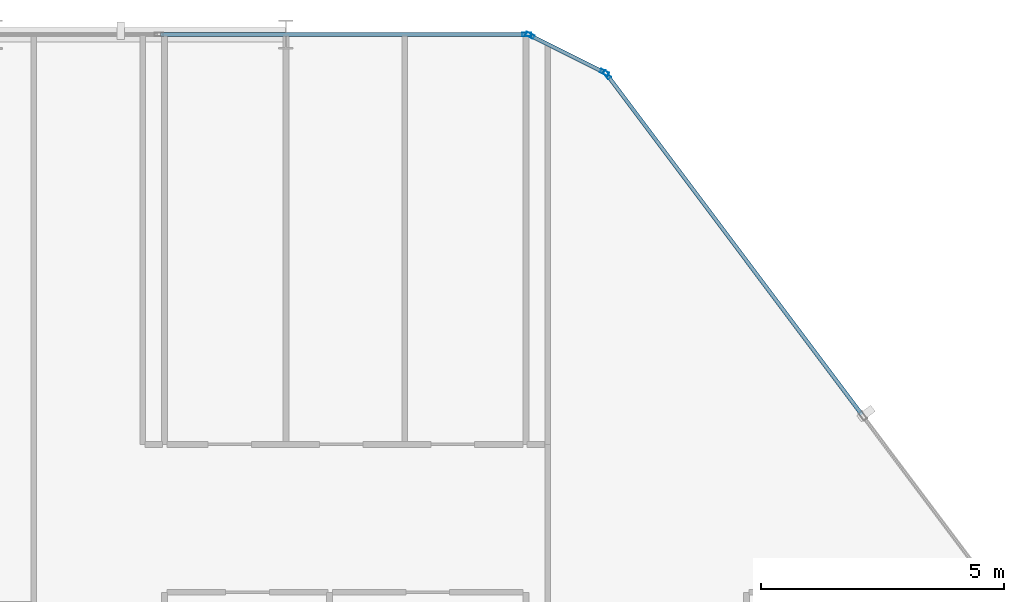
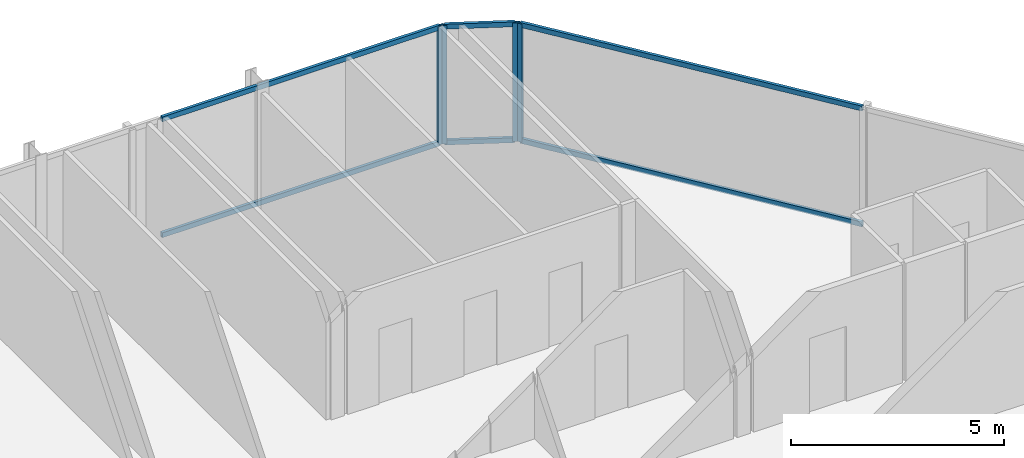
# One storey, part 20 of 29: 10 members, 3 elements without a shape of their own.
"""IFC4 building model written with IfcOpenShell, lengths in metres."""

import ifcopenshell
import ifcopenshell.guid

model = None  # the IFC model being written
_history = None  # IfcOwnerHistory: only IFC2X3 demands one
_inside = {}  # id of a spatial element -> (the spatial element, [elements in it])
_under = {}  # id of a project, library or spatial element -> (it, [spatial elements below it])
_declared = {}  # id of a project -> (the project, [libraries it declares])
_typed = {}  # id of a type object -> (the type object, [elements of that type])
_made_of = {}  # id of a material, layer set ... -> (it, [elements and type objects made of it])


def new_model(schema):
    """Start an empty IFC model of exactly this schema.

    Asked for "IFC4X3", IfcOpenShell would pick the latest addendum, in which some entities
    have other attributes; the version numbers below select the first issue.
    IFC2X3 requires an IfcOwnerHistory on every rooted entity: one is made here for all.
    """
    global model, _history
    if schema == "IFC4X3":
        model = ifcopenshell.file(schema_version=(4, 3, 0, 0))
    else:
        model = ifcopenshell.file(schema=schema)
    _inside.clear()
    _under.clear()
    _declared.clear()
    _typed.clear()
    _made_of.clear()
    _history = None
    if model.schema == "IFC2X3":
        org = make("IfcOrganization", Name="unknown")
        user = make(
            "IfcPersonAndOrganization",
            ThePerson=make("IfcPerson", FamilyName="unknown"),
            TheOrganization=org,
        )
        app = make(
            "IfcApplication",
            ApplicationDeveloper=org,
            Version="unknown",
            ApplicationFullName="unknown",
            ApplicationIdentifier="unknown",
        )
        _history = make(
            "IfcOwnerHistory",
            OwningUser=user,
            OwningApplication=app,
            ChangeAction="ADDED",
            CreationDate=0,
        )
    return model


def make(cls, **values):
    """One entity of the class cls with the attributes given. An attribute that is None is left unset."""
    return model.create_entity(
        cls, **{name: value for name, value in values.items() if value is not None}
    )


def rooted(cls, **values):
    """An entity with a GlobalId (a new one), such as an element, a storey or a relation."""
    return make(cls, GlobalId=ifcopenshell.guid.new(), OwnerHistory=_history, **values)


def si_unit(unit_type, name, prefix=None):
    """IfcSIUnit, for example si_unit("LENGTHUNIT", "METRE", prefix="MILLI")."""
    return make("IfcSIUnit", UnitType=unit_type, Prefix=prefix, Name=name)


def assignment(units):
    """IfcUnitAssignment: the units of a project."""
    return None if units is None else make("IfcUnitAssignment", Units=units)


def point(xyz):
    """IfcCartesianPoint."""
    return None if xyz is None else make("IfcCartesianPoint", Coordinates=xyz)


def direction(xyz):
    """IfcDirection."""
    return None if xyz is None else make("IfcDirection", DirectionRatios=xyz)


def frame(location, z_axis=None, x_axis=None):
    """IfcAxis2Placement3D, a coordinate frame: its origin and axes. An axis left out is left unset."""
    return make(
        "IfcAxis2Placement3D",
        Location=point(location),
        Axis=direction(z_axis),
        RefDirection=direction(x_axis),
    )


def frame_2d(location, x_axis=None):
    """IfcAxis2Placement2D, a coordinate frame in the plane: its origin and x axis."""
    return make(
        "IfcAxis2Placement2D", Location=point(location), RefDirection=direction(x_axis)
    )


def origin():
    """The frame at (0, 0, 0) with its axes left unset."""
    return frame((0.0, 0.0, 0.0))


def origin_2d():
    """The frame at (0, 0) in the plane with its x axis left unset."""
    return frame_2d((0.0, 0.0))


def place(relative_to, where):
    """IfcLocalPlacement: puts the frame where relative to a parent placement (None: the world)."""
    return make(
        "IfcLocalPlacement", PlacementRelTo=relative_to, RelativePlacement=where
    )


def context(
    kind, dimensions, precision=None, world=None, true_north=None, identifier=None
):
    """IfcGeometricRepresentationContext, for example the 3D "Model" context."""
    return make(
        "IfcGeometricRepresentationContext",
        ContextIdentifier=identifier,
        ContextType=kind,
        CoordinateSpaceDimension=dimensions,
        Precision=precision,
        WorldCoordinateSystem=world,
        TrueNorth=true_north,
    )


def subcontext(parent, identifier, kind, view, scale=None):
    """IfcGeometricRepresentationSubContext, for example "Body" below "Model"."""
    return make(
        "IfcGeometricRepresentationSubContext",
        ContextIdentifier=identifier,
        ContextType=kind,
        ParentContext=parent,
        TargetScale=scale,
        TargetView=view,
    )


def project(units=None, contexts=None):
    """IfcProject with its units and contexts."""
    return rooted(
        "IfcProject",
        Name="project",
        RepresentationContexts=contexts,
        UnitsInContext=assignment(units),
    )


def spatial(cls, under=None, at=None, **own):
    """A site, building, storey or space (cls), placed at a placement, below another one or the project."""
    s = rooted(cls, ObjectPlacement=at, **own)
    if under is not None:
        _under.setdefault(under.id(), (under, []))[1].append(s)
    return s


def profile(cls, at=None, kind="AREA", **sizes):
    """A parametric profile (cls). Its sizes go by their IFC names, for example OverallWidth=200.0."""
    return make(cls, ProfileType=kind, Position=at, **sizes)


def hollow_rectangle(**sizes):
    """IfcRectangleHollowProfileDef."""
    return profile("IfcRectangleHollowProfileDef", **sizes)


def extrude(swept, where, along, depth):
    """IfcExtrudedAreaSolid: the profile swept, set in the frame where, extruded along a direction by depth."""
    return make(
        "IfcExtrudedAreaSolid",
        SweptArea=swept,
        Position=where,
        ExtrudedDirection=direction(along),
        Depth=depth,
    )


def shape(context_of_items, identifier, shape_type, items):
    """IfcShapeRepresentation: the items that make up one representation, for example the "Body"."""
    return make(
        "IfcShapeRepresentation",
        ContextOfItems=context_of_items,
        RepresentationIdentifier=identifier,
        RepresentationType=shape_type,
        Items=items,
    )


def material(Name=None, Category=None):
    """IfcMaterial."""
    return make("IfcMaterial", Name=Name, Category=Category)


def layer(
    of_material, thickness, ventilated=None, Name=None, Category=None, Priority=None
):
    """IfcMaterialLayer: one layer of a wall or slab, of a material (None: an air gap)."""
    return make(
        "IfcMaterialLayer",
        Material=of_material,
        LayerThickness=thickness,
        IsVentilated=ventilated,
        Name=Name,
        Category=Category,
        Priority=Priority,
    )


def layer_set(layers, Name=None):
    """IfcMaterialLayerSet."""
    return make("IfcMaterialLayerSet", MaterialLayers=layers, LayerSetName=Name)


def material_profile(
    of_material, cross_section, Name=None, Category=None, Priority=None
):
    """IfcMaterialProfile: a cross section and its material."""
    return make(
        "IfcMaterialProfile",
        Name=Name,
        Material=of_material,
        Profile=cross_section,
        Priority=Priority,
        Category=Category,
    )


def profile_set(profiles, Name=None, composite=None):
    """IfcMaterialProfileSet."""
    return make(
        "IfcMaterialProfileSet",
        Name=Name,
        MaterialProfiles=profiles,
        CompositeProfile=composite,
    )


def made_of(thing, what):
    """Note that an element or type object is made of a material, layer set ...; save() writes the relation."""
    if what is not None:
        _made_of.setdefault(what.id(), (what, []))[1].append(thing)
    return thing


def type_object(cls, material=None, **own):
    """A type object (cls), such as IfcWallType, which elements share."""
    return made_of(rooted(cls, **own), material)


def element(
    cls,
    number,
    at=None,
    inside=None,
    cuts=None,
    type_object=None,
    material=None,
    context=None,
    identifier="Body",
    shape_type=None,
    held_by="IfcProductDefinitionShape",
    body=None,
    shapes=None,
    **own,
):
    """One element of the class cls, such as IfcWall. Its Tag is "e" and its number.

    at: its placement. inside: the storey or other place that contains it. cuts: it is an
    opening in that element (IfcRelVoidsElement). A single representation is given by context,
    identifier, shape_type and body (its items); several are given by shapes. held_by: the class
    of the entity that holds the representations. save() writes the other relations.
    """
    e = rooted(cls, Tag="e%d" % number, ObjectPlacement=at, **own)
    if body is not None:
        shapes = [shape(context, identifier, shape_type, body)]
    if shapes is not None:
        e.Representation = make(held_by, Representations=shapes)
    if inside is not None:
        _inside.setdefault(inside.id(), (inside, []))[1].append(e)
    if cuts is not None:
        rooted(
            "IfcRelVoidsElement", RelatingBuildingElement=cuts, RelatedOpeningElement=e
        )
    if type_object is not None:
        _typed.setdefault(type_object.id(), (type_object, []))[1].append(e)
    return made_of(e, material)


def aggregate(whole, parts):
    """IfcRelAggregates: a whole, such as a stair, and the parts it consists of."""
    return rooted("IfcRelAggregates", RelatingObject=whole, RelatedObjects=parts)


def save(model, path):
    """Write the relations noted so far, then the file.

    IfcRelAggregates (storeys below a building ...), IfcRelContainedInSpatialStructure (elements
    in a storey), IfcRelDefinesByType, IfcRelAssociatesMaterial and IfcRelDeclares: one each for
    every whole, place, type object, material and project.
    """
    for whole, parts in _under.values():
        aggregate(whole, parts)
    for where, things in _inside.values():
        rooted(
            "IfcRelContainedInSpatialStructure",
            RelatedElements=things,
            RelatingStructure=where,
        )
    for kind, things in _typed.values():
        rooted("IfcRelDefinesByType", RelatedObjects=things, RelatingType=kind)
    for what, things in _made_of.values():
        rooted("IfcRelAssociatesMaterial", RelatedObjects=things, RelatingMaterial=what)
    for by, libraries in _declared.values():
        rooted("IfcRelDeclares", RelatingContext=by, RelatedDefinitions=libraries)
    model.write(path)


model = new_model("IFC4")

# Units and contexts
model_context = context("Model", 3, precision=1e-05, world=origin(), true_north=direction((0.0, 1.0)))
body_context = subcontext(model_context, "Body", "Model", "MODEL_VIEW")
ifc_project = project(units=[si_unit("LENGTHUNIT", "METRE"), si_unit("AREAUNIT", "SQUARE_METRE"), si_unit("VOLUMEUNIT", "CUBIC_METRE"), si_unit("PLANEANGLEUNIT", "RADIAN"), si_unit("MASSUNIT", "GRAM", prefix="KILO")], contexts=[model_context])

# Site, building, storey
site_placement = place(None, origin())
site = spatial("IfcSite", under=ifc_project, at=site_placement, CompositionType="ELEMENT")
building_placement = place(site_placement, origin())
building = spatial("IfcBuilding", under=site, at=building_placement, Name="Keshet Zoharim Tower", CompositionType="ELEMENT")
storey_placement = place(building_placement, frame((0.0, 0.0, 94.60009765625)))
storey = spatial("IfcBuildingStorey", under=building, at=storey_placement, Name="L22", CompositionType="ELEMENT", Elevation=94.60009765625)

# Curtain wall, member
ifc_material = material(Name="Aluminium 6063-T6", Category="aluminium")
ifc_layer = layer(ifc_material, 0.159912109375)
ifc_layer_set = layer_set([ifc_layer], Name="Aluminium 6063-T6")
curtain_wall_type = type_object("IfcCurtainWallType", Name="CW-SYS-03", PredefinedType="NOTDEFINED", material=ifc_layer_set)
curtain_wall_1_placement = place(storey_placement, origin())
curtain_wall_1 = element("IfcCurtainWall", 1, at=curtain_wall_1_placement, inside=storey, type_object=curtain_wall_type, Name="L22 Unitised Curtain Wall 13 Part 5", PredefinedType="NOTDEFINED")
ifc_material_profile_1 = material_profile(ifc_material, hollow_rectangle(XDim=0.080078125, YDim=0.179931640625, WallThickness=0.00439453125, at=origin_2d()), Name="MUL-80x180")
ifc_profile_set_1 = profile_set([ifc_material_profile_1], Name="Aluminium 6063-T6")
member_type_1 = type_object("IfcMemberType", Name="CWM-M18", PredefinedType="MULLION", material=ifc_profile_set_1)
member_1_placement = place(storey_placement, frame((49.965087890625, 53.89990234375, 0.0), z_axis=(0.0, 0.0, 1.0), x_axis=(0.0, 1.0, 0.0)))
member_1 = element("IfcMember", 2, at=member_1_placement, type_object=member_type_1, Name="CW-03 mullion 3", PredefinedType="MULLION", context=body_context, shape_type="SweptSolid", body=[
    extrude(hollow_rectangle(XDim=0.080078125, YDim=0.179931640625, WallThickness=0.00439453125, at=origin_2d()), origin(), (0.0, 0.0, 1.0), 3.385009765625),
])

# Curtain wall, members
curtain_wall_2_placement = place(storey_placement, origin())
curtain_wall_2 = element("IfcCurtainWall", 3, at=curtain_wall_2_placement, inside=storey, type_object=curtain_wall_type, Name="L22 Unitised Curtain Wall 14", PredefinedType="NOTDEFINED")
member_2_placement = place(storey_placement, frame((50.03125, 53.88427734375, 0.0), z_axis=(0.0, 0.0, 1.0), x_axis=(0.447213595499, 0.894427191001, 0.0)))
member_2 = element("IfcMember", 4, at=member_2_placement, type_object=member_type_1, Name="CW-03 mullion 1", PredefinedType="MULLION", context=body_context, shape_type="SweptSolid", body=[
    extrude(hollow_rectangle(XDim=0.080078125, YDim=0.179931640625, WallThickness=0.00439453125, at=origin_2d()), origin(), (0.0, 0.0, 1.0), 3.385009765625),
])
member_3_placement = place(storey_placement, frame((51.568603515625, 53.11572265625, 0.0), z_axis=(0.0, 0.0, 1.0), x_axis=(0.447213595499, 0.894427191001, 0.0)))
member_3 = element("IfcMember", 5, at=member_3_placement, type_object=member_type_1, Name="CW-03 mullion 2", PredefinedType="MULLION", context=body_context, shape_type="SweptSolid", body=[
    extrude(hollow_rectangle(XDim=0.080078125, YDim=0.179931640625, WallThickness=0.00439453125, at=origin_2d()), origin(), (0.0, 0.0, 1.0), 3.385009765625),
])

# Curtain wall, member
curtain_wall_3_placement = place(storey_placement, origin())
curtain_wall_3 = element("IfcCurtainWall", 6, at=curtain_wall_3_placement, inside=storey, type_object=curtain_wall_type, Name="L22 Unitised Curtain Wall 15", PredefinedType="NOTDEFINED")
member_4_placement = place(storey_placement, frame((51.62109375, 53.072021484375, 0.0), z_axis=(0.0, 0.0, 1.0), x_axis=(0.799999999998, 0.600000000002, 0.0)))
member_4 = element("IfcMember", 7, at=member_4_placement, type_object=member_type_1, Name="CW-03 mullion 1", PredefinedType="MULLION", context=body_context, shape_type="SweptSolid", body=[
    extrude(hollow_rectangle(XDim=0.080078125, YDim=0.179931640625, WallThickness=0.00439453125, at=origin_2d()), origin(), (0.0, 0.0, 1.0), 3.385009765625),
])

# Member
ifc_material_profile_2 = material_profile(ifc_material, hollow_rectangle(XDim=0.080078125, YDim=0.139892578125, WallThickness=0.00390625, at=origin_2d()), Name="TRN-80x140")
ifc_profile_set_2 = profile_set([ifc_material_profile_2], Name="Aluminium 6063-T6")
member_type_2 = type_object("IfcMemberType", Name="CWT-T14", PredefinedType="USERDEFINED", material=ifc_profile_set_2)
member_5_placement = place(storey_placement, frame((42.416259765625, 53.89990234375, 0.034912109375), z_axis=(1.0, 0.0, 0.0), x_axis=(0.0, 1.0, 0.0)))
member_5 = element("IfcMember", 8, at=member_5_placement, type_object=member_type_2, Name="CW-03 transom 2.1", ObjectType="TRANSOM", PredefinedType="USERDEFINED", context=body_context, shape_type="SweptSolid", body=[
    extrude(hollow_rectangle(XDim=0.080078125, YDim=0.139892578125, WallThickness=0.00390625, at=origin_2d()), origin(), (0.0, 0.0, 1.0), 7.513671875),
])

member_6_placement = place(storey_placement, frame((42.416259765625, 53.89990234375, 3.349853515625), z_axis=(1.0, 0.0, 0.0), x_axis=(0.0, 1.0, 0.0)))
member_6 = element("IfcMember", 9, at=member_6_placement, type_object=member_type_2, Name="CW-03 transom 2.2", ObjectType="TRANSOM", PredefinedType="USERDEFINED", context=body_context, shape_type="SweptSolid", body=[
    extrude(hollow_rectangle(XDim=0.080078125, YDim=0.139892578125, WallThickness=0.00390625, at=origin_2d()), origin(), (0.0, 0.0, 1.0), 7.513671875),
])

aggregate(curtain_wall_1, [member_1, member_5, member_6])

member_7_placement = place(storey_placement, frame((50.0625, 53.86865234375, 0.034912109375), z_axis=(0.894456801911, -0.447154368775, 0.0), x_axis=(0.447154368775, 0.894456801911, 0.0)))
member_7 = element("IfcMember", 10, at=member_7_placement, type_object=member_type_2, Name="CW-03 transom 1.1", ObjectType="TRANSOM", PredefinedType="USERDEFINED", context=body_context, shape_type="SweptSolid", body=[
    extrude(hollow_rectangle(XDim=0.080078125, YDim=0.139892578125, WallThickness=0.00390625, at=origin_2d()), origin(), (0.0, 0.0, 1.0), 1.64892578125),
])

member_8_placement = place(storey_placement, frame((50.0625, 53.86865234375, 3.349853515625), z_axis=(0.894456801911, -0.447154368775, 0.0), x_axis=(0.447154368775, 0.894456801911, 0.0)))
member_8 = element("IfcMember", 11, at=member_8_placement, type_object=member_type_2, Name="CW-03 transom 1.2", ObjectType="TRANSOM", PredefinedType="USERDEFINED", context=body_context, shape_type="SweptSolid", body=[
    extrude(hollow_rectangle(XDim=0.080078125, YDim=0.139892578125, WallThickness=0.00390625, at=origin_2d()), origin(), (0.0, 0.0, 1.0), 1.64892578125),
])

aggregate(curtain_wall_2, [member_2, member_3, member_7, member_8])

member_9_placement = place(storey_placement, frame((51.64208984375, 53.0439453125, 0.034912109375), z_axis=(0.599991043201, -0.800006717521, 0.0), x_axis=(0.800006717521, 0.599991043201, 0.0)))
member_9 = element("IfcMember", 12, at=member_9_placement, type_object=member_type_2, Name="CW-03 transom 1.1", ObjectType="TRANSOM", PredefinedType="USERDEFINED", context=body_context, shape_type="SweptSolid", body=[
    extrude(hollow_rectangle(XDim=0.080078125, YDim=0.139892578125, WallThickness=0.00390625, at=origin_2d()), origin(), (0.0, 0.0, 1.0), 8.722412109375),
])

member_10_placement = place(storey_placement, frame((51.64208984375, 53.0439453125, 3.349853515625), z_axis=(0.599991043201, -0.800006717521, 0.0), x_axis=(0.800006717521, 0.599991043201, 0.0)))
member_10 = element("IfcMember", 13, at=member_10_placement, type_object=member_type_2, Name="CW-03 transom 1.2", ObjectType="TRANSOM", PredefinedType="USERDEFINED", context=body_context, shape_type="SweptSolid", body=[
    extrude(hollow_rectangle(XDim=0.080078125, YDim=0.139892578125, WallThickness=0.00390625, at=origin_2d()), origin(), (0.0, 0.0, 1.0), 8.722412109375),
])

aggregate(curtain_wall_3, [member_4, member_9, member_10])

save(model, "model.ifc")
